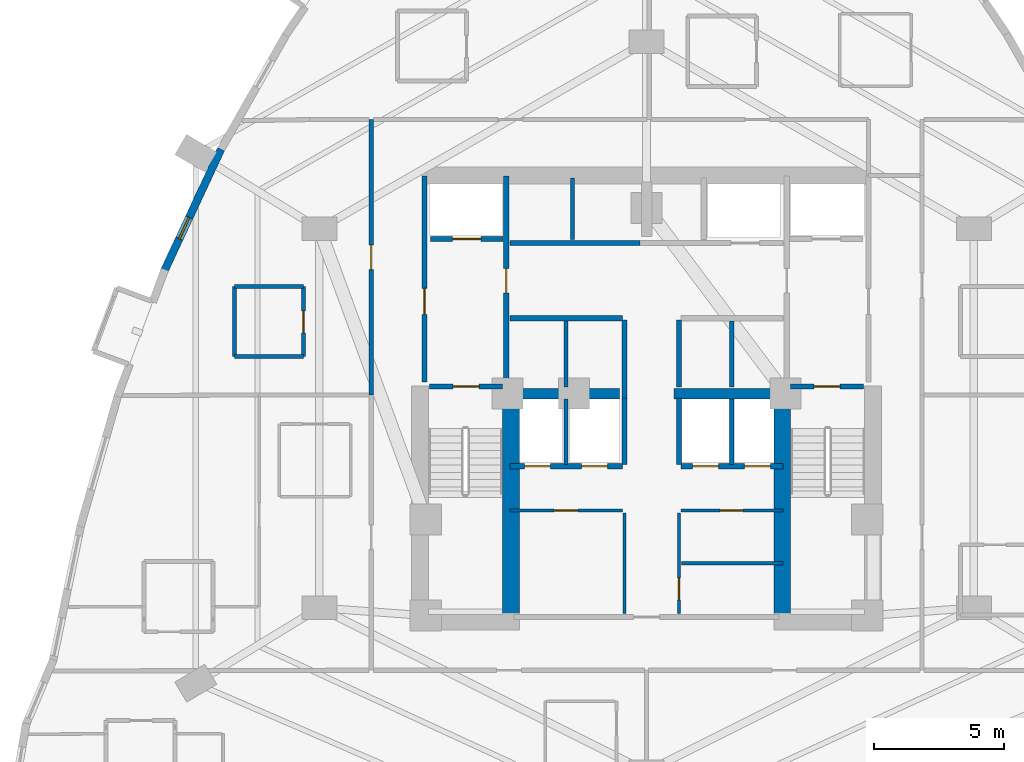
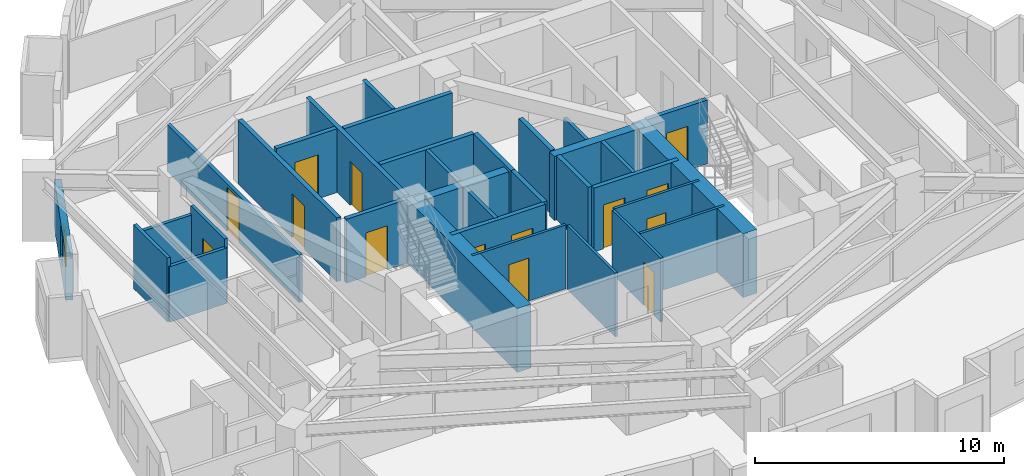
# One storey, part 8 of 13: 33 walls, 14 doors, 1 window, 15 openings.
"""IFC4 building model written with IfcOpenShell, lengths in metres."""

import ifcopenshell
import ifcopenshell.guid

model = None  # the IFC model being written
_history = None  # IfcOwnerHistory: only IFC2X3 demands one
_inside = {}  # id of a spatial element -> (the spatial element, [elements in it])
_under = {}  # id of a project, library or spatial element -> (it, [spatial elements below it])
_declared = {}  # id of a project -> (the project, [libraries it declares])
_typed = {}  # id of a type object -> (the type object, [elements of that type])
_made_of = {}  # id of a material, layer set ... -> (it, [elements and type objects made of it])


def new_model(schema):
    """Start an empty IFC model of exactly this schema.

    Asked for "IFC4X3", IfcOpenShell would pick the latest addendum, in which some entities
    have other attributes; the version numbers below select the first issue.
    IFC2X3 requires an IfcOwnerHistory on every rooted entity: one is made here for all.
    """
    global model, _history
    if schema == "IFC4X3":
        model = ifcopenshell.file(schema_version=(4, 3, 0, 0))
    else:
        model = ifcopenshell.file(schema=schema)
    _inside.clear()
    _under.clear()
    _declared.clear()
    _typed.clear()
    _made_of.clear()
    _history = None
    if model.schema == "IFC2X3":
        org = make("IfcOrganization", Name="unknown")
        user = make(
            "IfcPersonAndOrganization",
            ThePerson=make("IfcPerson", FamilyName="unknown"),
            TheOrganization=org,
        )
        app = make(
            "IfcApplication",
            ApplicationDeveloper=org,
            Version="unknown",
            ApplicationFullName="unknown",
            ApplicationIdentifier="unknown",
        )
        _history = make(
            "IfcOwnerHistory",
            OwningUser=user,
            OwningApplication=app,
            ChangeAction="ADDED",
            CreationDate=0,
        )
    return model


def make(cls, **values):
    """One entity of the class cls with the attributes given. An attribute that is None is left unset."""
    return model.create_entity(
        cls, **{name: value for name, value in values.items() if value is not None}
    )


def rooted(cls, **values):
    """An entity with a GlobalId (a new one), such as an element, a storey or a relation."""
    return make(cls, GlobalId=ifcopenshell.guid.new(), OwnerHistory=_history, **values)


def si_unit(unit_type, name, prefix=None):
    """IfcSIUnit, for example si_unit("LENGTHUNIT", "METRE", prefix="MILLI")."""
    return make("IfcSIUnit", UnitType=unit_type, Prefix=prefix, Name=name)


def assignment(units):
    """IfcUnitAssignment: the units of a project."""
    return None if units is None else make("IfcUnitAssignment", Units=units)


def point(xyz):
    """IfcCartesianPoint."""
    return None if xyz is None else make("IfcCartesianPoint", Coordinates=xyz)


def direction(xyz):
    """IfcDirection."""
    return None if xyz is None else make("IfcDirection", DirectionRatios=xyz)


def frame(location, z_axis=None, x_axis=None):
    """IfcAxis2Placement3D, a coordinate frame: its origin and axes. An axis left out is left unset."""
    return make(
        "IfcAxis2Placement3D",
        Location=point(location),
        Axis=direction(z_axis),
        RefDirection=direction(x_axis),
    )


def frame_2d(location, x_axis=None):
    """IfcAxis2Placement2D, a coordinate frame in the plane: its origin and x axis."""
    return make(
        "IfcAxis2Placement2D", Location=point(location), RefDirection=direction(x_axis)
    )


def origin():
    """The frame at (0, 0, 0) with its axes left unset."""
    return frame((0.0, 0.0, 0.0))


def place(relative_to, where):
    """IfcLocalPlacement: puts the frame where relative to a parent placement (None: the world)."""
    return make(
        "IfcLocalPlacement", PlacementRelTo=relative_to, RelativePlacement=where
    )


def context(
    kind, dimensions, precision=None, world=None, true_north=None, identifier=None
):
    """IfcGeometricRepresentationContext, for example the 3D "Model" context."""
    return make(
        "IfcGeometricRepresentationContext",
        ContextIdentifier=identifier,
        ContextType=kind,
        CoordinateSpaceDimension=dimensions,
        Precision=precision,
        WorldCoordinateSystem=world,
        TrueNorth=true_north,
    )


def subcontext(parent, identifier, kind, view, scale=None):
    """IfcGeometricRepresentationSubContext, for example "Body" below "Model"."""
    return make(
        "IfcGeometricRepresentationSubContext",
        ContextIdentifier=identifier,
        ContextType=kind,
        ParentContext=parent,
        TargetScale=scale,
        TargetView=view,
    )


def project(units=None, contexts=None):
    """IfcProject with its units and contexts."""
    return rooted(
        "IfcProject",
        Name="project",
        RepresentationContexts=contexts,
        UnitsInContext=assignment(units),
    )


def spatial(cls, under=None, at=None, **own):
    """A site, building, storey or space (cls), placed at a placement, below another one or the project."""
    s = rooted(cls, ObjectPlacement=at, **own)
    if under is not None:
        _under.setdefault(under.id(), (under, []))[1].append(s)
    return s


def profile(cls, at=None, kind="AREA", **sizes):
    """A parametric profile (cls). Its sizes go by their IFC names, for example OverallWidth=200.0."""
    return make(cls, ProfileType=kind, Position=at, **sizes)


def rectangle(**sizes):
    """IfcRectangleProfileDef."""
    return profile("IfcRectangleProfileDef", **sizes)


def extrude(swept, where, along, depth):
    """IfcExtrudedAreaSolid: the profile swept, set in the frame where, extruded along a direction by depth."""
    return make(
        "IfcExtrudedAreaSolid",
        SweptArea=swept,
        Position=where,
        ExtrudedDirection=direction(along),
        Depth=depth,
    )


def shape(context_of_items, identifier, shape_type, items):
    """IfcShapeRepresentation: the items that make up one representation, for example the "Body"."""
    return make(
        "IfcShapeRepresentation",
        ContextOfItems=context_of_items,
        RepresentationIdentifier=identifier,
        RepresentationType=shape_type,
        Items=items,
    )


def material(Name=None, Category=None):
    """IfcMaterial."""
    return make("IfcMaterial", Name=Name, Category=Category)


def layer(
    of_material, thickness, ventilated=None, Name=None, Category=None, Priority=None
):
    """IfcMaterialLayer: one layer of a wall or slab, of a material (None: an air gap)."""
    return make(
        "IfcMaterialLayer",
        Material=of_material,
        LayerThickness=thickness,
        IsVentilated=ventilated,
        Name=Name,
        Category=Category,
        Priority=Priority,
    )


def layer_set(layers, Name=None):
    """IfcMaterialLayerSet."""
    return make("IfcMaterialLayerSet", MaterialLayers=layers, LayerSetName=Name)


def made_of(thing, what):
    """Note that an element or type object is made of a material, layer set ...; save() writes the relation."""
    if what is not None:
        _made_of.setdefault(what.id(), (what, []))[1].append(thing)
    return thing


def type_object(cls, material=None, **own):
    """A type object (cls), such as IfcWallType, which elements share."""
    return made_of(rooted(cls, **own), material)


def element(
    cls,
    number,
    at=None,
    inside=None,
    cuts=None,
    type_object=None,
    material=None,
    context=None,
    identifier="Body",
    shape_type=None,
    held_by="IfcProductDefinitionShape",
    body=None,
    shapes=None,
    **own,
):
    """One element of the class cls, such as IfcWall. Its Tag is "e" and its number.

    at: its placement. inside: the storey or other place that contains it. cuts: it is an
    opening in that element (IfcRelVoidsElement). A single representation is given by context,
    identifier, shape_type and body (its items); several are given by shapes. held_by: the class
    of the entity that holds the representations. save() writes the other relations.
    """
    e = rooted(cls, Tag="e%d" % number, ObjectPlacement=at, **own)
    if body is not None:
        shapes = [shape(context, identifier, shape_type, body)]
    if shapes is not None:
        e.Representation = make(held_by, Representations=shapes)
    if inside is not None:
        _inside.setdefault(inside.id(), (inside, []))[1].append(e)
    if cuts is not None:
        rooted(
            "IfcRelVoidsElement", RelatingBuildingElement=cuts, RelatedOpeningElement=e
        )
    if type_object is not None:
        _typed.setdefault(type_object.id(), (type_object, []))[1].append(e)
    return made_of(e, material)


def fill(opening, filler):
    """IfcRelFillsElement: the door or window that sits in an opening."""
    return rooted(
        "IfcRelFillsElement",
        RelatingOpeningElement=opening,
        RelatedBuildingElement=filler,
    )


def aggregate(whole, parts):
    """IfcRelAggregates: a whole, such as a stair, and the parts it consists of."""
    return rooted("IfcRelAggregates", RelatingObject=whole, RelatedObjects=parts)


def save(model, path):
    """Write the relations noted so far, then the file.

    IfcRelAggregates (storeys below a building ...), IfcRelContainedInSpatialStructure (elements
    in a storey), IfcRelDefinesByType, IfcRelAssociatesMaterial and IfcRelDeclares: one each for
    every whole, place, type object, material and project.
    """
    for whole, parts in _under.values():
        aggregate(whole, parts)
    for where, things in _inside.values():
        rooted(
            "IfcRelContainedInSpatialStructure",
            RelatedElements=things,
            RelatingStructure=where,
        )
    for kind, things in _typed.values():
        rooted("IfcRelDefinesByType", RelatedObjects=things, RelatingType=kind)
    for what, things in _made_of.values():
        rooted("IfcRelAssociatesMaterial", RelatedObjects=things, RelatingMaterial=what)
    for by, libraries in _declared.values():
        rooted("IfcRelDeclares", RelatingContext=by, RelatedDefinitions=libraries)
    model.write(path)


model = new_model("IFC4")

# Units and contexts
model_context = context("Model", 3, precision=1e-05, world=origin(), true_north=direction((0.0, 1.0)))
body_context = subcontext(model_context, "Body", "Model", "MODEL_VIEW")
ifc_project = project(units=[si_unit("LENGTHUNIT", "METRE"), si_unit("AREAUNIT", "SQUARE_METRE"), si_unit("VOLUMEUNIT", "CUBIC_METRE"), si_unit("PLANEANGLEUNIT", "RADIAN"), si_unit("MASSUNIT", "GRAM", prefix="KILO")], contexts=[model_context])

# Site, building, storey
site_placement = place(None, origin())
site = spatial("IfcSite", under=ifc_project, at=site_placement, CompositionType="ELEMENT")
building_placement = place(site_placement, origin())
building = spatial("IfcBuilding", under=site, at=building_placement, Name="Miruveldt Soraemaru", CompositionType="ELEMENT")
storey_placement = place(building_placement, frame((0.0, 0.0, 76.800048828125)))
storey = spatial("IfcBuildingStorey", under=building, at=storey_placement, Name="L21", CompositionType="ELEMENT", Elevation=76.800048828125)

# Walls
ifc_material_1 = material(Name="Concrete C70/85 (70 MPa)", Category="concrete")
ifc_layer_1 = layer(ifc_material_1, 0.5, Name="Concrete C70/85 (70 MPa)", Category="concrete")
ifc_layer_set_1 = layer_set([ifc_layer_1], Name="Concrete C70/85 (70 MPa)")
wall_type_1 = type_object("IfcWallType", Name="WALL-BW-500", PredefinedType="SHEAR", material=ifc_layer_set_1)
for number, where, z_axis, x_axis, name in (
    (1, (38.75, 44.050048828125, 0.0), (0.0, 0.0, 1.0), (1.0, 0.0, 0.0), "L21 Core Buttress Shear Wall BW"),
    (2, (45.050048828125, 44.050048828125, 0.0), (0.0, 0.0, 1.0), (1.0, 0.0, 0.0), "L21 Core Buttress Shear Wall BE"),
):
    element("IfcWall", number, at=place(storey_placement, frame(where, z_axis=z_axis, x_axis=x_axis)), inside=storey, type_object=wall_type_1, Name=name, PredefinedType="SHEAR", context=body_context, shape_type="SweptSolid", body=[
        extrude(rectangle(XDim=4.199951171875, YDim=0.39990234375, at=frame_2d((2.10009765625, 0.0))), origin(), (0.0, 0.0, 1.0), 3.125),
    ])
ifc_material_2 = material(Name="Concrete C80/95 (80 MPa)", Category="concrete")
ifc_layer_2 = layer(ifc_material_2, 0.64990234375, Name="Concrete C80/95 (80 MPa)", Category="concrete")
ifc_layer_set_2 = layer_set([ifc_layer_2], Name="Concrete C80/95 (80 MPa)")
wall_type_2 = type_object("IfcWallType", Name="WALL-CW-650", PredefinedType="SHEAR", material=ifc_layer_set_2)
for number, where, z_axis, x_axis, name in (
    (3, (38.77490234375, 35.39990234375, 0.0), (0.0, 0.0, 1.0), (0.0, 1.0, 0.0), "L21 Central Core Shear Wall SW-INT"),
    (4, (49.22509765625, 35.39990234375, 0.0), (0.0, 0.0, 1.0), (0.0, 1.0, 0.0), "L21 Central Core Shear Wall SE-INT"),
):
    element("IfcWall", number, at=place(storey_placement, frame(where, z_axis=z_axis, x_axis=x_axis)), inside=storey, type_object=wall_type_2, Name=name, PredefinedType="SHEAR", context=body_context, shape_type="SweptSolid", body=[
        extrude(rectangle(XDim=8.9501953125, YDim=0.64990234375, at=frame_2d((4.47509765625, 0.0))), origin(), (0.0, 0.0, 1.0), 3.125),
    ])

# Wall, opening, window
ifc_material_3 = material(Name="Precast concrete C45/55 (45 MPa)", Category="concrete")
ifc_layer_3 = layer(ifc_material_3, 0.300048828125, Name="Precast concrete C45/55 (45 MPa)", Category="concrete")
ifc_layer_set_3 = layer_set([ifc_layer_3], Name="Precast concrete C45/55 (45 MPa)")
wall_type_3 = type_object("IfcWallType", Name="WALL-EXT-PC300", PredefinedType="SOLIDWALL", material=ifc_layer_set_3)
wall_1_placement = place(storey_placement, frame((27.611083984375, 53.457763671875, 0.0), z_axis=(0.0, 0.0, 1.0), x_axis=(-0.422273967053, -0.906468254684, 0.0)))
wall_1 = element("IfcWall", 5, at=wall_1_placement, inside=storey, type_object=wall_type_3, Name="L21 Precast Concrete Facade Wall 11", PredefinedType="SOLIDWALL", context=body_context, shape_type="SweptSolid", body=[
    extrude(rectangle(XDim=5.180908203125, YDim=0.300048828125, at=frame_2d((2.59033203125, 0.0))), origin(), (0.0, 0.0, 1.0), 2.31298828125),
])
opening_1_placement = place(wall_1_placement, frame((2.90087890625, 0.0, 0.653076171875)))
opening_1 = element("IfcOpeningElement", 6, at=opening_1_placement, cuts=wall_1, Name="Opening WN-7", PredefinedType="OPENING", context=body_context, shape_type="SweptSolid", body=[
    extrude(rectangle(XDim=0.89990234375, YDim=1.5, at=frame_2d((0.449951171875, 0.75))), frame((0.0, 0.16015625, 0.0), z_axis=(0.0, -1.0, 0.0), x_axis=(1.0, 0.0, 0.0)), (0.0, 0.0, 1.0), 0.320068359375),
])
ifc_material_4 = material(Name="Triple low-e insulated glazing", Category="glass")
window_type = type_object("IfcWindowType", Name="WIN-PUNCH-900x1500", PartitioningType="SINGLE_PANEL", PredefinedType="WINDOW", material=ifc_material_4)
window_placement = place(opening_1_placement, origin())
window = element("IfcWindow", 7, at=window_placement, inside=storey, type_object=window_type, Name="L21 Punched Triple-Glazed Window 11.1", OverallHeight=1.5, OverallWidth=0.89990234375, PartitioningType="SINGLE_PANEL", PredefinedType="WINDOW", context=body_context, shape_type="SweptSolid", body=[
    extrude(rectangle(XDim=0.89990234375, YDim=1.5, at=frame_2d((0.449951171875, 0.75))), frame((0.0, 0.030029296875, 0.0), z_axis=(0.0, -1.0, 0.0), x_axis=(1.0, 0.0, 0.0)), (0.0, 0.0, 1.0), 0.06005859375),
])
fill(opening_1, window)

# Wall, opening, door
ifc_material_5 = material(Name="Gypsum plasterboard lining", Category="gypsum")
ifc_layer_4 = layer(ifc_material_5, 0.1201171875, Name="Gypsum plasterboard lining", Category="gypsum")
ifc_layer_set_4 = layer_set([ifc_layer_4], Name="Gypsum plasterboard lining")
wall_type_4 = type_object("IfcWallType", Name="WALL-INT-P120", PredefinedType="PARTITIONING", material=ifc_layer_set_4)
wall_2_placement = place(storey_placement, frame((38.75, 39.550048828125, 0.0), z_axis=(0.0, 0.0, 1.0), x_axis=(1.0, 0.0, 0.0)))
wall_2 = element("IfcWall", 8, at=wall_2_placement, inside=storey, type_object=wall_type_4, Name="L21 Core Compartment Wall CSW-N", PredefinedType="PARTITIONING", context=body_context, shape_type="SweptSolid", body=[
    extrude(rectangle(XDim=4.330078125, YDim=0.1201171875, at=frame_2d((2.1650390625, 0.0))), origin(), (0.0, 0.0, 1.0), 3.125),
])
opening_2_placement = place(wall_2_placement, frame((1.68994140625, 0.0, 0.0)))
opening_2 = element("IfcOpeningElement", 9, at=opening_2_placement, cuts=wall_2, Name="Opening D3A", PredefinedType="OPENING", context=body_context, shape_type="SweptSolid", body=[
    extrude(rectangle(XDim=0.919921875, YDim=2.10009765625, at=frame_2d((0.4599609375, 1.050048828125))), frame((0.0, 0.070068359375, 0.0), z_axis=(0.0, -1.0, 0.0), x_axis=(1.0, 0.0, 0.0)), (0.0, 0.0, 1.0), 0.14013671875),
])
ifc_material_6 = material(Name="Anodised aluminium EN AW-6063 T6", Category="aluminium")
door_type_1 = type_object("IfcDoorType", Name="DOOR-INT-920", OperationType="NOTDEFINED", PredefinedType="DOOR", material=ifc_material_6)
door_1_placement = place(opening_2_placement, origin())
door_1 = element("IfcDoor", 10, at=door_1_placement, inside=storey, type_object=door_type_1, Name="L21 Fire Door", OperationType="SINGLE_SWING_LEFT", OverallHeight=2.10009765625, OverallWidth=0.919921875, PredefinedType="DOOR", context=body_context, shape_type="SweptSolid", body=[
    extrude(rectangle(XDim=0.919921875, YDim=2.10009765625, at=frame_2d((0.4599609375, 1.050048828125))), frame((0.0, 0.02490234375, 0.0), z_axis=(0.0, -1.0, 0.0), x_axis=(1.0, 0.0, 0.0)), (0.0, 0.0, 1.0), 0.050048828125),
])
fill(opening_2, door_1)

wall_3_placement = place(storey_placement, frame((45.320068359375, 39.550048828125, 0.0), z_axis=(0.0, 0.0, 1.0), x_axis=(1.0, 0.0, 0.0)))
wall_3 = element("IfcWall", 11, at=wall_3_placement, inside=storey, type_object=wall_type_4, Name="L21 Core Compartment Wall CSE-N", PredefinedType="PARTITIONING", context=body_context, shape_type="SweptSolid", body=[
    extrude(rectangle(XDim=3.929931640625, YDim=0.1201171875, at=frame_2d((1.96484375, 0.0))), origin(), (0.0, 0.0, 1.0), 3.125),
])
opening_3_placement = place(wall_3_placement, frame((1.510009765625, 0.0, 0.0)))
opening_3 = element("IfcOpeningElement", 12, at=opening_3_placement, cuts=wall_3, Name="Opening D4", PredefinedType="OPENING", context=body_context, shape_type="SweptSolid", body=[
    extrude(rectangle(XDim=0.8798828125, YDim=2.10009765625, at=frame_2d((0.43994140625, 1.050048828125))), frame((0.0, 0.070068359375, 0.0), z_axis=(0.0, -1.0, 0.0), x_axis=(1.0, 0.0, 0.0)), (0.0, 0.0, 1.0), 0.14013671875),
])
door_type_2 = type_object("IfcDoorType", Name="DOOR-INT-880", OperationType="NOTDEFINED", PredefinedType="DOOR", material=ifc_material_6)
door_2_placement = place(opening_3_placement, origin())
door_2 = element("IfcDoor", 13, at=door_2_placement, inside=storey, type_object=door_type_2, Name="L21 Fire Door", OperationType="SINGLE_SWING_LEFT", OverallHeight=2.10009765625, OverallWidth=0.8798828125, PredefinedType="DOOR", context=body_context, shape_type="SweptSolid", body=[
    extrude(rectangle(XDim=0.8798828125, YDim=2.10009765625, at=frame_2d((0.43994140625, 1.050048828125))), frame((0.0, 0.02490234375, 0.0), z_axis=(0.0, -1.0, 0.0), x_axis=(1.0, 0.0, 0.0)), (0.0, 0.0, 1.0), 0.050048828125),
])
fill(opening_3, door_2)

wall_4_placement = place(storey_placement, frame((45.25, 35.580078125, 0.0), z_axis=(0.0, 0.0, 1.0), x_axis=(0.0, 1.0, 0.0)))
wall_4 = element("IfcWall", 14, at=wall_4_placement, inside=storey, type_object=wall_type_4, Name="L21 Core Compartment Wall SP-ES", PredefinedType="PARTITIONING", context=body_context, shape_type="SweptSolid", body=[
    extrude(rectangle(XDim=3.869873046875, YDim=0.1201171875, at=frame_2d((1.93505859375, 0.0))), origin(), (0.0, 0.0, 1.0), 3.125),
])
opening_4_placement = place(wall_4_placement, frame((0.52490234375, 0.0, 0.0)))
opening_4 = element("IfcOpeningElement", 15, at=opening_4_placement, cuts=wall_4, Name="Opening FD3", PredefinedType="OPENING", context=body_context, shape_type="SweptSolid", body=[
    extrude(rectangle(XDim=0.85009765625, YDim=2.10009765625, at=frame_2d((0.425048828125, 1.050048828125))), frame((0.0, 0.070068359375, 0.0), z_axis=(0.0, -1.0, 0.0), x_axis=(1.0, 0.0, 0.0)), (0.0, 0.0, 1.0), 0.14013671875),
])
door_type_3 = type_object("IfcDoorType", Name="DOOR-FD3-850", OperationType="NOTDEFINED", PredefinedType="DOOR", material=ifc_material_6)
door_3_placement = place(opening_4_placement, frame((0.85009765625, 0.0, 0.0), z_axis=(0.0, 0.0, 1.0), x_axis=(-1.0, 0.0, 0.0)))
door_3 = element("IfcDoor", 16, at=door_3_placement, inside=storey, type_object=door_type_3, Name="L21 Fire Door", OperationType="SINGLE_SWING_LEFT", OverallHeight=2.10009765625, OverallWidth=0.85009765625, PredefinedType="DOOR", context=body_context, shape_type="SweptSolid", body=[
    extrude(rectangle(XDim=0.85009765625, YDim=2.10009765625, at=frame_2d((0.425048828125, 1.050048828125))), frame((0.0, 0.02490234375, 0.0), z_axis=(0.0, -1.0, 0.0), x_axis=(1.0, 0.0, 0.0)), (0.0, 0.0, 1.0), 0.050048828125),
])
fill(opening_4, door_3)

# Walls
wall_5_placement = place(storey_placement, frame((45.35009765625, 37.52001953125, 0.0), z_axis=(0.0, 0.0, 1.0), x_axis=(1.0, 0.0, 0.0)))
element("IfcWall", 17, at=wall_5_placement, inside=storey, type_object=wall_type_4, Name="L21 Core Compartment Wall CE3-H", PredefinedType="PARTITIONING", context=body_context, shape_type="SweptSolid", body=[
    extrude(rectangle(XDim=3.89990234375, YDim=0.1201171875, at=frame_2d((1.949951171875, 0.0))), origin(), (0.0, 0.0, 1.0), 3.125),
])
wall_6_placement = place(storey_placement, frame((43.14990234375, 35.580078125, 0.0), z_axis=(0.0, 0.0, 1.0), x_axis=(0.0, 1.0, 0.0)))
element("IfcWall", 18, at=wall_6_placement, inside=storey, type_object=wall_type_4, Name="L21 Core Compartment Wall SP-WS", PredefinedType="PARTITIONING", context=body_context, shape_type="SweptSolid", body=[
    extrude(rectangle(XDim=3.869873046875, YDim=0.1201171875, at=frame_2d((1.93505859375, 0.0))), origin(), (0.0, 0.0, 1.0), 3.125),
])

# Wall, opening, door
ifc_layer_5 = layer(ifc_material_5, 0.14990234375, Name="Gypsum plasterboard lining", Category="gypsum")
ifc_layer_set_5 = layer_set([ifc_layer_5], Name="Gypsum plasterboard lining")
wall_type_5 = type_object("IfcWallType", Name="WALL-INT-PLUMB", PredefinedType="PLUMBINGWALL", material=ifc_layer_set_5)
wall_7_placement = place(storey_placement, frame((30.7900390625, 45.47998046875, 0.0), z_axis=(0.0, 0.0, 1.0), x_axis=(0.0, 1.0, 0.0)))
wall_7 = element("IfcWall", 19, at=wall_7_placement, inside=storey, type_object=wall_type_5, Name="L21 Partition Wall 57", PredefinedType="PLUMBINGWALL", context=body_context, shape_type="SweptSolid", body=[
    extrude(rectangle(XDim=2.699951171875, YDim=0.14990234375, at=frame_2d((1.35009765625, 0.0))), origin(), (0.0, 0.0, 1.0), 3.125),
])
opening_5_placement = place(wall_7_placement, frame((0.909912109375, 0.0, 0.0)))
opening_5 = element("IfcOpeningElement", 20, at=opening_5_placement, cuts=wall_7, Name="Opening FD3", PredefinedType="OPENING", context=body_context, shape_type="SweptSolid", body=[
    extrude(rectangle(XDim=0.85009765625, YDim=2.10009765625, at=frame_2d((0.425048828125, 1.050048828125))), frame((0.0, 0.0849609375, 0.0), z_axis=(0.0, -1.0, 0.0), x_axis=(1.0, 0.0, 0.0)), (0.0, 0.0, 1.0), 0.169921875),
])
door_4_placement = place(opening_5_placement, origin())
door_4 = element("IfcDoor", 21, at=door_4_placement, inside=storey, type_object=door_type_3, Name="L21 Unit 2104 BTH Door", OperationType="SINGLE_SWING_RIGHT", OverallHeight=2.10009765625, OverallWidth=0.85009765625, PredefinedType="DOOR", context=body_context, shape_type="SweptSolid", body=[
    extrude(rectangle(XDim=0.85009765625, YDim=2.10009765625, at=frame_2d((0.425048828125, 1.050048828125))), frame((0.0, 0.02490234375, 0.0), z_axis=(0.0, -1.0, 0.0), x_axis=(1.0, 0.0, 0.0)), (0.0, 0.0, 1.0), 0.050048828125),
])
fill(opening_5, door_4)

# Walls
wall_8_placement = place(storey_placement, frame((28.139892578125, 48.179931640625, 0.0), z_axis=(0.0, 0.0, 1.0), x_axis=(0.0, -1.0, 0.0)))
element("IfcWall", 22, at=wall_8_placement, inside=storey, type_object=wall_type_5, Name="L21 Partition Wall 59", PredefinedType="PLUMBINGWALL", context=body_context, shape_type="SweptSolid", body=[
    extrude(rectangle(XDim=2.699951171875, YDim=0.14990234375, at=frame_2d((1.35009765625, 0.0))), origin(), (0.0, 0.0, 1.0), 3.125),
])
for number, where, z_axis, x_axis, name in (
    (23, (30.7900390625, 48.179931640625, 0.0), (0.0, 0.0, 1.0), (-1.0, 0.0, 0.0), "L21 Partition Wall 58"),
    (24, (28.139892578125, 45.47998046875, 0.0), (0.0, 0.0, 1.0), (1.0, 0.0, 0.0), "L21 Partition Wall 60"),
):
    element("IfcWall", number, at=place(storey_placement, frame(where, z_axis=z_axis, x_axis=x_axis)), inside=storey, type_object=wall_type_5, Name=name, PredefinedType="PLUMBINGWALL", context=body_context, shape_type="SweptSolid", body=[
        extrude(rectangle(XDim=2.650146484375, YDim=0.14990234375, at=frame_2d((1.3251953125, 0.0))), origin(), (0.0, 0.0, 1.0), 2.712890625),
    ])

# Wall, opening, door
ifc_material_7 = material(Name="Concrete C40/50 (40 MPa)", Category="concrete")
ifc_layer_6 = layer(ifc_material_7, 0.159912109375, Name="Concrete C40/50 (40 MPa)", Category="concrete")
ifc_layer_set_6 = layer_set([ifc_layer_6], Name="Concrete C40/50 (40 MPa)")
wall_type_6 = type_object("IfcWallType", Name="WALL-INT-RC160", PredefinedType="SOLIDWALL", material=ifc_layer_set_6)
wall_9_placement = place(storey_placement, frame((33.39990234375, 54.595947265625, 0.0), z_axis=(0.0, 0.0, 1.0), x_axis=(0.0, -1.0, 0.0)))
wall_9 = element("IfcWall", 25, at=wall_9_placement, inside=storey, type_object=wall_type_6, Name="L21 Partition Wall 6", PredefinedType="SOLIDWALL", context=body_context, shape_type="SweptSolid", body=[
    extrude(rectangle(XDim=10.592041015625, YDim=0.159912109375, at=frame_2d((5.2958984375, 0.0))), origin(), (0.0, 0.0, 1.0), 2.31298828125),
])
opening_6_placement = place(wall_9_placement, frame((4.821044921875, 0.0, 0.0)))
opening_6 = element("IfcOpeningElement", 26, at=opening_6_placement, cuts=wall_9, Name="Opening FD2", PredefinedType="OPENING", context=body_context, shape_type="SweptSolid", body=[
    extrude(rectangle(XDim=0.949951171875, YDim=2.14990234375, at=frame_2d((0.47509765625, 1.074951171875))), frame((0.0, 0.08984375, 0.0), z_axis=(0.0, -1.0, 0.0), x_axis=(1.0, 0.0, 0.0)), (0.0, 0.0, 1.0), 0.179931640625),
])
door_type_4 = type_object("IfcDoorType", Name="DOOR-FD2-950", OperationType="NOTDEFINED", PredefinedType="DOOR", material=ifc_material_6)
door_5_placement = place(opening_6_placement, origin())
door_5 = element("IfcDoor", 27, at=door_5_placement, inside=storey, type_object=door_type_4, Name="L21 Unit 2104 Entrance Fire Door", OperationType="SINGLE_SWING_LEFT", OverallHeight=2.14990234375, OverallWidth=0.949951171875, PredefinedType="DOOR", context=body_context, shape_type="SweptSolid", body=[
    extrude(rectangle(XDim=0.949951171875, YDim=2.14990234375, at=frame_2d((0.47509765625, 1.074951171875))), frame((0.0, 0.02490234375, 0.0), z_axis=(0.0, -1.0, 0.0), x_axis=(1.0, 0.0, 0.0)), (0.0, 0.0, 1.0), 0.050048828125),
])
fill(opening_6, door_5)

# Walls
wall_10_placement = place(storey_placement, frame((40.89990234375, 44.300048828125, 0.0), z_axis=(0.0, 0.0, 1.0), x_axis=(0.0, 1.0, 0.0)))
element("IfcWall", 28, at=wall_10_placement, inside=storey, type_object=wall_type_6, Name="L21 Core Compartment Wall PLM-DW", PredefinedType="SOLIDWALL", context=body_context, shape_type="SweptSolid", body=[
    extrude(rectangle(XDim=2.550048828125, YDim=0.159912109375, at=frame_2d((1.27490234375, 0.0))), origin(), (0.0, 0.0, 1.0), 3.125),
])
wall_11_placement = place(storey_placement, frame((47.280029296875, 44.300048828125, 0.0), z_axis=(0.0, 0.0, 1.0), x_axis=(0.0, 1.0, 0.0)))
element("IfcWall", 29, at=wall_11_placement, inside=storey, type_object=wall_type_6, Name="L21 Core Compartment Wall PLM-DE", PredefinedType="SOLIDWALL", context=body_context, shape_type="SweptSolid", body=[
    extrude(rectangle(XDim=2.550048828125, YDim=0.159912109375, at=frame_2d((1.27490234375, 0.0))), origin(), (0.0, 0.0, 1.0), 2.462890625),
])
for number, where, z_axis, x_axis, name in (
    (30, (40.89990234375, 41.320068359375, 0.0), (0.0, 0.0, 1.0), (0.0, 1.0, 0.0), "L21 Core Compartment Wall PLL-DW"),
    (31, (47.280029296875, 41.320068359375, 0.0), (0.0, 0.0, 1.0), (0.0, 1.0, 0.0), "L21 Core Compartment Wall PLL-DE"),
):
    element("IfcWall", number, at=place(storey_placement, frame(where, z_axis=z_axis, x_axis=x_axis)), inside=storey, type_object=wall_type_6, Name=name, PredefinedType="SOLIDWALL", context=body_context, shape_type="SweptSolid", body=[
        extrude(rectangle(XDim=2.530029296875, YDim=0.159912109375, at=frame_2d((1.26513671875, 0.0))), origin(), (0.0, 0.0, 1.0), 3.125),
    ])
wall_12_placement = place(storey_placement, frame((41.14990234375, 49.97998046875, 0.0), z_axis=(0.0, 0.0, 1.0), x_axis=(0.0, 1.0, 0.0)))
element("IfcWall", 32, at=wall_12_placement, inside=storey, type_object=wall_type_6, Name="L21 Core Compartment Wall PLH-DIV1", PredefinedType="SOLIDWALL", context=body_context, shape_type="SweptSolid", body=[
    extrude(rectangle(XDim=2.3701171875, YDim=0.159912109375, at=frame_2d((1.18505859375, 0.0))), origin(), (0.0, 0.0, 1.0), 3.125),
])

# Wall, opening, door
ifc_layer_7 = layer(ifc_material_7, 0.199951171875, Name="Concrete C40/50 (40 MPa)", Category="concrete")
ifc_layer_set_7 = layer_set([ifc_layer_7], Name="Concrete C40/50 (40 MPa)")
wall_type_7 = type_object("IfcWallType", Name="WALL-INT-RC200", PredefinedType="SOLIDWALL", material=ifc_layer_set_7)
wall_13_placement = place(storey_placement, frame((35.449951171875, 44.5, 0.0), z_axis=(0.0, 0.0, 1.0), x_axis=(0.0, 1.0, 0.0)))
wall_13 = element("IfcWall", 33, at=wall_13_placement, inside=storey, type_object=wall_type_7, Name="L21 Core Compartment Wall FFW-OUT", PredefinedType="SOLIDWALL", context=body_context, shape_type="SweptSolid", body=[
    extrude(rectangle(XDim=7.919921875, YDim=0.199951171875, at=frame_2d((3.9599609375, 0.0))), origin(), (0.0, 0.0, 1.0), 3.125),
])
opening_7_placement = place(wall_13_placement, frame((2.60009765625, 0.0, 0.0)))
opening_7 = element("IfcOpeningElement", 34, at=opening_7_placement, cuts=wall_13, Name="Opening FD1", PredefinedType="OPENING", context=body_context, shape_type="SweptSolid", body=[
    extrude(rectangle(XDim=1.0, YDim=2.14990234375, at=frame_2d((0.5, 1.074951171875))), frame((0.0, 0.10986328125, 0.0), z_axis=(0.0, -1.0, 0.0), x_axis=(1.0, 0.0, 0.0)), (0.0, 0.0, 1.0), 0.219970703125),
])
door_type_5 = type_object("IfcDoorType", Name="DOOR-FD1-1000", OperationType="NOTDEFINED", PredefinedType="DOOR", material=ifc_material_6)
door_6_placement = place(opening_7_placement, origin())
door_6 = element("IfcDoor", 35, at=door_6_placement, inside=storey, type_object=door_type_5, Name="L21 West Firefighting Lobby Exit Door", OperationType="SINGLE_SWING_LEFT", OverallHeight=2.14990234375, OverallWidth=1.0, PredefinedType="DOOR", context=body_context, shape_type="SweptSolid", body=[
    extrude(rectangle(XDim=1.0, YDim=2.14990234375, at=frame_2d((0.5, 1.074951171875))), frame((0.0, 0.02490234375, 0.0), z_axis=(0.0, -1.0, 0.0), x_axis=(1.0, 0.0, 0.0)), (0.0, 0.0, 1.0), 0.050048828125),
])
fill(opening_7, door_6)

wall_14_placement = place(storey_placement, frame((38.60009765625, 44.5, 0.0), z_axis=(0.0, 0.0, 1.0), x_axis=(0.0, 1.0, 0.0)))
wall_14 = element("IfcWall", 36, at=wall_14_placement, inside=storey, type_object=wall_type_7, Name="L21 Core Compartment Wall FFW-IN", PredefinedType="SOLIDWALL", context=body_context, shape_type="SweptSolid", body=[
    extrude(rectangle(XDim=7.919921875, YDim=0.199951171875, at=frame_2d((3.9599609375, 0.0))), origin(), (0.0, 0.0, 1.0), 3.125),
])
opening_8_placement = place(wall_14_placement, frame((3.425048828125, 0.0, 0.0)))
opening_8 = element("IfcOpeningElement", 37, at=opening_8_placement, cuts=wall_14, Name="Opening FD2", PredefinedType="OPENING", context=body_context, shape_type="SweptSolid", body=[
    extrude(rectangle(XDim=0.949951171875, YDim=2.14990234375, at=frame_2d((0.47509765625, 1.074951171875))), frame((0.0, 0.10986328125, 0.0), z_axis=(0.0, -1.0, 0.0), x_axis=(1.0, 0.0, 0.0)), (0.0, 0.0, 1.0), 0.219970703125),
])
door_7_placement = place(opening_8_placement, frame((0.949951171875, 0.0, 0.0), z_axis=(0.0, 0.0, 1.0), x_axis=(-1.0, 0.0, 0.0)))
door_7 = element("IfcDoor", 38, at=door_7_placement, inside=storey, type_object=door_type_4, Name="L21 Lift Lobby to West Fire Lobby Door", OperationType="SINGLE_SWING_RIGHT", OverallHeight=2.14990234375, OverallWidth=0.949951171875, PredefinedType="DOOR", context=body_context, shape_type="SweptSolid", body=[
    extrude(rectangle(XDim=0.949951171875, YDim=2.14990234375, at=frame_2d((0.47509765625, 1.074951171875))), frame((0.0, 0.02490234375, 0.0), z_axis=(0.0, -1.0, 0.0), x_axis=(1.0, 0.0, 0.0)), (0.0, 0.0, 1.0), 0.050048828125),
])
fill(opening_8, door_7)

# Wall, openings, doors
wall_15_placement = place(storey_placement, frame((38.75, 41.25, 0.0), z_axis=(0.0, 0.0, 1.0), x_axis=(1.0, 0.0, 0.0)))
wall_15 = element("IfcWall", 39, at=wall_15_placement, inside=storey, type_object=wall_type_7, Name="L21 Core Compartment Wall LBW-S", PredefinedType="SOLIDWALL", context=body_context, shape_type="SweptSolid", body=[
    extrude(rectangle(XDim=4.330078125, YDim=0.199951171875, at=frame_2d((2.1650390625, 0.0))), origin(), (0.0, 0.0, 1.0), 3.125),
])
opening_9_placement = place(wall_15_placement, frame((0.550048828125, 0.0, 0.0)))
opening_9 = element("IfcOpeningElement", 40, at=opening_9_placement, cuts=wall_15, Name="Opening LD1B", PredefinedType="OPENING", context=body_context, shape_type="SweptSolid", body=[
    extrude(rectangle(XDim=1.0, YDim=2.14990234375, at=frame_2d((0.5, 1.074951171875))), frame((0.0, 0.10986328125, 0.0), z_axis=(0.0, -1.0, 0.0), x_axis=(1.0, 0.0, 0.0)), (0.0, 0.0, 1.0), 0.219970703125),
])
opening_10_placement = place(wall_15_placement, frame((2.75, 0.0, 0.0)))
opening_10 = element("IfcOpeningElement", 41, at=opening_10_placement, cuts=wall_15, Name="Opening LD1B", PredefinedType="OPENING", context=body_context, shape_type="SweptSolid", body=[
    extrude(rectangle(XDim=1.0, YDim=2.14990234375, at=frame_2d((0.5, 1.074951171875))), frame((0.0, 0.10986328125, 0.0), z_axis=(0.0, -1.0, 0.0), x_axis=(1.0, 0.0, 0.0)), (0.0, 0.0, 1.0), 0.219970703125),
])
door_type_6 = type_object("IfcDoorType", Name="DOOR-LD1-1000", OperationType="SLIDING_TO_LEFT", PredefinedType="DOOR", material=ifc_material_6)
door_8_placement = place(opening_9_placement, frame((1.0, 0.0, 0.0), z_axis=(0.0, 0.0, 1.0), x_axis=(-1.0, 0.0, 0.0)))
door_8 = element("IfcDoor", 42, at=door_8_placement, inside=storey, type_object=door_type_6, Name="L21 PL-L1 Landing Door", OperationType="SLIDING_TO_LEFT", OverallHeight=2.14990234375, OverallWidth=1.0, PredefinedType="DOOR", context=body_context, shape_type="SweptSolid", body=[
    extrude(rectangle(XDim=1.0, YDim=2.14990234375, at=frame_2d((0.5, 1.074951171875))), frame((0.0, 0.02490234375, 0.0), z_axis=(0.0, -1.0, 0.0), x_axis=(1.0, 0.0, 0.0)), (0.0, 0.0, 1.0), 0.050048828125),
])
fill(opening_9, door_8)
door_9_placement = place(opening_10_placement, frame((1.0, 0.0, 0.0), z_axis=(0.0, 0.0, 1.0), x_axis=(-1.0, 0.0, 0.0)))
door_9 = element("IfcDoor", 43, at=door_9_placement, inside=storey, type_object=door_type_6, Name="L21 PL-L2 Landing Door", OperationType="SLIDING_TO_LEFT", OverallHeight=2.14990234375, OverallWidth=1.0, PredefinedType="DOOR", context=body_context, shape_type="SweptSolid", body=[
    extrude(rectangle(XDim=1.0, YDim=2.14990234375, at=frame_2d((0.5, 1.074951171875))), frame((0.0, 0.02490234375, 0.0), z_axis=(0.0, -1.0, 0.0), x_axis=(1.0, 0.0, 0.0)), (0.0, 0.0, 1.0), 0.050048828125),
])
fill(opening_10, door_9)

wall_16_placement = place(storey_placement, frame((45.320068359375, 41.25, 0.0), z_axis=(0.0, 0.0, 1.0), x_axis=(1.0, 0.0, 0.0)))
wall_16 = element("IfcWall", 44, at=wall_16_placement, inside=storey, type_object=wall_type_7, Name="L21 Core Compartment Wall LBE-S", PredefinedType="SOLIDWALL", context=body_context, shape_type="SweptSolid", body=[
    extrude(rectangle(XDim=3.929931640625, YDim=0.199951171875, at=frame_2d((1.96484375, 0.0))), origin(), (0.0, 0.0, 1.0), 3.125),
])
opening_11_placement = place(wall_16_placement, frame((0.449951171875, 0.0, 0.0)))
opening_11 = element("IfcOpeningElement", 45, at=opening_11_placement, cuts=wall_16, Name="Opening LD1B", PredefinedType="OPENING", context=body_context, shape_type="SweptSolid", body=[
    extrude(rectangle(XDim=1.0, YDim=2.14990234375, at=frame_2d((0.5, 1.074951171875))), frame((0.0, 0.10986328125, 0.0), z_axis=(0.0, -1.0, 0.0), x_axis=(1.0, 0.0, 0.0)), (0.0, 0.0, 1.0), 0.219970703125),
])
opening_12_placement = place(wall_16_placement, frame((2.449951171875, 0.0, 0.0)))
opening_12 = element("IfcOpeningElement", 46, at=opening_12_placement, cuts=wall_16, Name="Opening LD1B", PredefinedType="OPENING", context=body_context, shape_type="SweptSolid", body=[
    extrude(rectangle(XDim=1.0, YDim=2.14990234375, at=frame_2d((0.5, 1.074951171875))), frame((0.0, 0.10986328125, 0.0), z_axis=(0.0, -1.0, 0.0), x_axis=(1.0, 0.0, 0.0)), (0.0, 0.0, 1.0), 0.219970703125),
])
door_10_placement = place(opening_11_placement, frame((1.0, 0.0, 0.0), z_axis=(0.0, 0.0, 1.0), x_axis=(-1.0, 0.0, 0.0)))
door_10 = element("IfcDoor", 47, at=door_10_placement, inside=storey, type_object=door_type_6, Name="L21 PL-L3 Landing Door", OperationType="SLIDING_TO_LEFT", OverallHeight=2.14990234375, OverallWidth=1.0, PredefinedType="DOOR", context=body_context, shape_type="SweptSolid", body=[
    extrude(rectangle(XDim=1.0, YDim=2.14990234375, at=frame_2d((0.5, 1.074951171875))), frame((0.0, 0.02490234375, 0.0), z_axis=(0.0, -1.0, 0.0), x_axis=(1.0, 0.0, 0.0)), (0.0, 0.0, 1.0), 0.050048828125),
])
fill(opening_11, door_10)
door_11_placement = place(opening_12_placement, frame((1.0, 0.0, 0.0), z_axis=(0.0, 0.0, 1.0), x_axis=(-1.0, 0.0, 0.0)))
door_11 = element("IfcDoor", 48, at=door_11_placement, inside=storey, type_object=door_type_6, Name="L21 PL-L4 Landing Door", OperationType="SLIDING_TO_LEFT", OverallHeight=2.14990234375, OverallWidth=1.0, PredefinedType="DOOR", context=body_context, shape_type="SweptSolid", body=[
    extrude(rectangle(XDim=1.0, YDim=2.14990234375, at=frame_2d((0.5, 1.074951171875))), frame((0.0, 0.02490234375, 0.0), z_axis=(0.0, -1.0, 0.0), x_axis=(1.0, 0.0, 0.0)), (0.0, 0.0, 1.0), 0.050048828125),
])
fill(opening_12, door_11)

# Wall, opening, door
wall_17_placement = place(storey_placement, frame((35.64990234375, 44.320068359375, 0.0), z_axis=(0.0, 0.0, 1.0), x_axis=(1.0, 0.0, 0.0)))
wall_17 = element("IfcWall", 49, at=wall_17_placement, inside=storey, type_object=wall_type_7, Name="L21 Core Compartment Wall ST1-N", PredefinedType="SOLIDWALL", context=body_context, shape_type="SweptSolid", body=[
    extrude(rectangle(XDim=2.800048828125, YDim=0.199951171875, at=frame_2d((1.39990234375, 0.0))), origin(), (0.0, 0.0, 1.0), 3.125),
])
opening_13_placement = place(wall_17_placement, frame((0.89990234375, 0.0, 0.0)))
opening_13 = element("IfcOpeningElement", 50, at=opening_13_placement, cuts=wall_17, Name="Opening FD1", PredefinedType="OPENING", context=body_context, shape_type="SweptSolid", body=[
    extrude(rectangle(XDim=1.0, YDim=2.14990234375, at=frame_2d((0.5, 1.074951171875))), frame((0.0, 0.10986328125, 0.0), z_axis=(0.0, -1.0, 0.0), x_axis=(1.0, 0.0, 0.0)), (0.0, 0.0, 1.0), 0.219970703125),
])
door_12_placement = place(opening_13_placement, frame((1.0, 0.0, 0.0), z_axis=(0.0, 0.0, 1.0), x_axis=(-1.0, 0.0, 0.0)))
door_12 = element("IfcDoor", 51, at=door_12_placement, inside=storey, type_object=door_type_5, Name="L21 Stair ST-1 Fire Door", OperationType="SINGLE_SWING_LEFT", OverallHeight=2.14990234375, OverallWidth=1.0, PredefinedType="DOOR", context=body_context, shape_type="SweptSolid", body=[
    extrude(rectangle(XDim=1.0, YDim=2.14990234375, at=frame_2d((0.5, 1.074951171875))), frame((0.0, 0.02490234375, 0.0), z_axis=(0.0, -1.0, 0.0), x_axis=(1.0, 0.0, 0.0)), (0.0, 0.0, 1.0), 0.050048828125),
])
fill(opening_13, door_12)

wall_18_placement = place(storey_placement, frame((49.550048828125, 44.320068359375, 0.0), z_axis=(0.0, 0.0, 1.0), x_axis=(1.0, 0.0, 0.0)))
wall_18 = element("IfcWall", 52, at=wall_18_placement, inside=storey, type_object=wall_type_7, Name="L21 Core Compartment Wall ST2-N", PredefinedType="SOLIDWALL", context=body_context, shape_type="SweptSolid", body=[
    extrude(rectangle(XDim=2.800048828125, YDim=0.199951171875, at=frame_2d((1.39990234375, 0.0))), origin(), (0.0, 0.0, 1.0), 3.125),
])
opening_14_placement = place(wall_18_placement, frame((0.89990234375, 0.0, 0.0)))
opening_14 = element("IfcOpeningElement", 53, at=opening_14_placement, cuts=wall_18, Name="Opening FD1", PredefinedType="OPENING", context=body_context, shape_type="SweptSolid", body=[
    extrude(rectangle(XDim=1.0, YDim=2.14990234375, at=frame_2d((0.5, 1.074951171875))), frame((0.0, 0.10986328125, 0.0), z_axis=(0.0, -1.0, 0.0), x_axis=(1.0, 0.0, 0.0)), (0.0, 0.0, 1.0), 0.219970703125),
])
door_13_placement = place(opening_14_placement, frame((1.0, 0.0, 0.0), z_axis=(0.0, 0.0, 1.0), x_axis=(-1.0, 0.0, 0.0)))
door_13 = element("IfcDoor", 54, at=door_13_placement, inside=storey, type_object=door_type_5, Name="L21 Stair ST-2 Fire Door", OperationType="SINGLE_SWING_RIGHT", OverallHeight=2.14990234375, OverallWidth=1.0, PredefinedType="DOOR", context=body_context, shape_type="SweptSolid", body=[
    extrude(rectangle(XDim=1.0, YDim=2.14990234375, at=frame_2d((0.5, 1.074951171875))), frame((0.0, 0.02490234375, 0.0), z_axis=(0.0, -1.0, 0.0), x_axis=(1.0, 0.0, 0.0)), (0.0, 0.0, 1.0), 0.050048828125),
])
fill(opening_14, door_13)

wall_19_placement = place(storey_placement, frame((35.679931640625, 50.0, 0.0), z_axis=(0.0, 0.0, 1.0), x_axis=(1.0, 0.0, 0.0)))
wall_19 = element("IfcWall", 55, at=wall_19_placement, inside=storey, type_object=wall_type_7, Name="L21 Core Compartment Wall FFL1-S", PredefinedType="SOLIDWALL", context=body_context, shape_type="SweptSolid", body=[
    extrude(rectangle(XDim=2.800048828125, YDim=0.199951171875, at=frame_2d((1.39990234375, 0.0))), origin(), (0.0, 0.0, 1.0), 3.125),
])
opening_15_placement = place(wall_19_placement, frame((0.85009765625, 0.0, 0.0)))
opening_15 = element("IfcOpeningElement", 56, at=opening_15_placement, cuts=wall_19, Name="Opening LD2", PredefinedType="OPENING", context=body_context, shape_type="SweptSolid", body=[
    extrude(rectangle(XDim=1.10009765625, YDim=2.14990234375, at=frame_2d((0.550048828125, 1.074951171875))), frame((0.0, 0.10986328125, 0.0), z_axis=(0.0, -1.0, 0.0), x_axis=(1.0, 0.0, 0.0)), (0.0, 0.0, 1.0), 0.219970703125),
])
door_type_7 = type_object("IfcDoorType", Name="DOOR-LD2-1100", OperationType="SLIDING_TO_LEFT", PredefinedType="DOOR", material=ifc_material_6)
door_14_placement = place(opening_15_placement, origin())
door_14 = element("IfcDoor", 57, at=door_14_placement, inside=storey, type_object=door_type_7, Name="L21 FFL-1 Landing Door", OperationType="SLIDING_TO_LEFT", OverallHeight=2.14990234375, OverallWidth=1.10009765625, PredefinedType="DOOR", context=body_context, shape_type="SweptSolid", body=[
    extrude(rectangle(XDim=1.10009765625, YDim=2.14990234375, at=frame_2d((0.550048828125, 1.074951171875))), frame((0.0, 0.02490234375, 0.0), z_axis=(0.0, -1.0, 0.0), x_axis=(1.0, 0.0, 0.0)), (0.0, 0.0, 1.0), 0.050048828125),
])
fill(opening_15, door_14)

# Walls
wall_20_placement = place(storey_placement, frame((38.75, 49.85009765625, 0.0), z_axis=(0.0, 0.0, 1.0), x_axis=(1.0, 0.0, 0.0)))
element("IfcWall", 58, at=wall_20_placement, inside=storey, type_object=wall_type_7, Name="L21 Core Compartment Wall ROWA-SW", PredefinedType="SOLIDWALL", context=body_context, shape_type="SweptSolid", body=[
    extrude(rectangle(XDim=5.0, YDim=0.199951171875, at=frame_2d((2.5, 0.0))), origin(), (0.0, 0.0, 1.0), 3.125),
])
wall_21_placement = place(storey_placement, frame((38.75, 46.949951171875, 0.0), z_axis=(0.0, 0.0, 1.0), x_axis=(1.0, 0.0, 0.0)))
element("IfcWall", 59, at=wall_21_placement, inside=storey, type_object=wall_type_7, Name="L21 Core Compartment Wall MBW-N", PredefinedType="SOLIDWALL", context=body_context, shape_type="SweptSolid", body=[
    extrude(rectangle(XDim=4.330078125, YDim=0.199951171875, at=frame_2d((2.1650390625, 0.0))), origin(), (0.0, 0.0, 1.0), 3.125),
])
wall_22_placement = place(storey_placement, frame((43.14990234375, 43.8798828125, 0.0), z_axis=(0.0, 0.0, 1.0), x_axis=(0.0, 1.0, 0.0)))
element("IfcWall", 60, at=wall_22_placement, inside=storey, type_object=wall_type_7, Name="L21 Core Compartment Wall SP-WB", PredefinedType="SOLIDWALL", context=body_context, shape_type="SweptSolid", body=[
    extrude(rectangle(XDim=3.0, YDim=0.199951171875, at=frame_2d((1.5, 0.0))), origin(), (0.0, 0.0, 1.0), 3.125),
])
wall_23_placement = place(storey_placement, frame((45.25, 44.300048828125, 0.0), z_axis=(0.0, 0.0, 1.0), x_axis=(0.0, 1.0, 0.0)))
element("IfcWall", 61, at=wall_23_placement, inside=storey, type_object=wall_type_7, Name="L21 Core Compartment Wall SP-EB", PredefinedType="SOLIDWALL", context=body_context, shape_type="SweptSolid", body=[
    extrude(rectangle(XDim=2.579833984375, YDim=0.199951171875, at=frame_2d((1.2900390625, 0.0))), origin(), (0.0, 0.0, 1.0), 3.125),
])
for number, where, z_axis, x_axis, name in (
    (62, (43.14990234375, 41.320068359375, 0.0), (0.0, 0.0, 1.0), (0.0, 1.0, 0.0), "L21 Core Compartment Wall SP-WC"),
    (63, (45.25, 41.320068359375, 0.0), (0.0, 0.0, 1.0), (0.0, 1.0, 0.0), "L21 Core Compartment Wall SP-EC"),
):
    element("IfcWall", number, at=place(storey_placement, frame(where, z_axis=z_axis, x_axis=x_axis)), inside=storey, type_object=wall_type_7, Name=name, PredefinedType="SOLIDWALL", context=body_context, shape_type="SweptSolid", body=[
        extrude(rectangle(XDim=2.559814453125, YDim=0.199951171875, at=frame_2d((1.27978515625, 0.0))), origin(), (0.0, 0.0, 1.0), 3.125),
    ])

save(model, "model.ifc")
